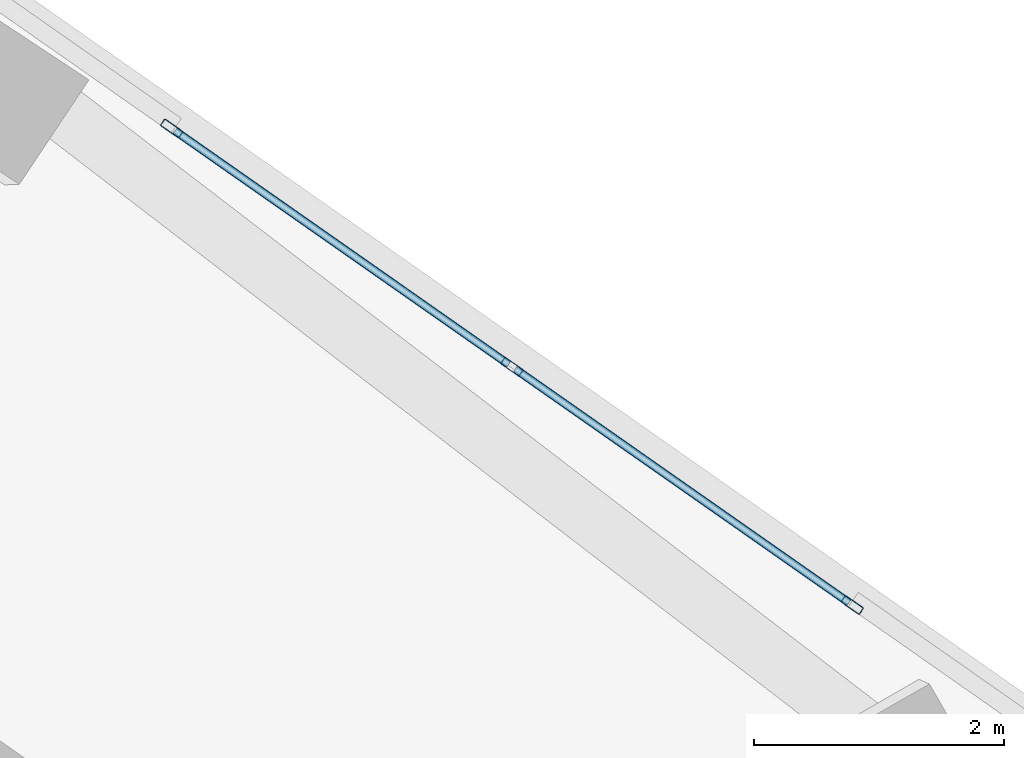
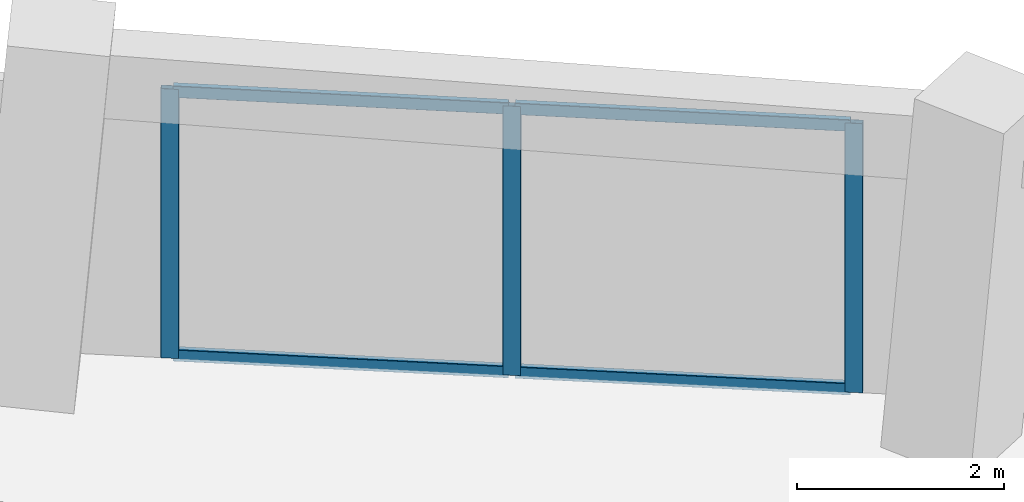
# One storey, part 14 of 21: 7 members, 1 element without a shape of its own.
"""IFC4 building model written with IfcOpenShell, lengths in metres."""

from ifc_helpers import new_model, si_unit, direction, frame, origin, origin_2d, place, context, subcontext, project, spatial, hollow_rectangle, extrude, source, transform, mapped, material, material_profile, profile_set, type_object, element, aggregate, save


model = new_model("IFC4")

# Units and contexts
model_context = context("Model", 3, precision=1e-05, world=origin(), true_north=direction((0.0, 1.0)))
body_context = subcontext(model_context, "Body", "Model", "MODEL_VIEW")
ifc_project = project(units=[si_unit("LENGTHUNIT", "METRE"), si_unit("AREAUNIT", "SQUARE_METRE"), si_unit("VOLUMEUNIT", "CUBIC_METRE"), si_unit("PLANEANGLEUNIT", "RADIAN"), si_unit("MASSUNIT", "GRAM", prefix="KILO")], contexts=[model_context])

# Site, building, storey
site_placement = place(None, origin())
site = spatial("IfcSite", under=ifc_project, at=site_placement, CompositionType="ELEMENT")
building_placement = place(site_placement, origin())
building = spatial("IfcBuilding", under=site, at=building_placement, Name="Torre Montelarca", CompositionType="ELEMENT")
storey_placement = place(building_placement, frame((0.0, 0.0, 200.199951171875)))
storey = spatial("IfcBuildingStorey", under=building, at=storey_placement, Name="L45", CompositionType="ELEMENT", Elevation=200.199951171875)

# Curtain wall, members
ifc_material_1 = material(Name="Insulated low-E laminated glass", Category="glass")
curtain_wall_type = type_object("IfcCurtainWallType", Name="CW-SYS-Z2", PredefinedType="USERDEFINED", material=ifc_material_1)
curtain_wall_placement = place(storey_placement, origin())
curtain_wall = element("IfcCurtainWall", 1, at=curtain_wall_placement, inside=storey, type_object=curtain_wall_type, Name="L45 Curtain Wall Run CW-T3-L45-E08-B2", ObjectType="UNITISED GLAZING", PredefinedType="USERDEFINED")
ifc_material_2 = material(Name="Anodised aluminium AA 6063-T6", Category="aluminium")
ifc_material_profile_1 = material_profile(ifc_material_2, hollow_rectangle(XDim=0.06494140625, YDim=0.179931640625, WallThickness=0.00390625, InnerFilletRadius=0.00390625, OuterFilletRadius=0.008056640625, at=origin_2d()), Name="ALU65X180X4", Category="aluminium")
ifc_profile_set_1 = profile_set([ifc_material_profile_1], Name="Anodised aluminium AA 6063-T6")
member_type_1 = type_object("IfcMemberType", Name="CWM-ALU180", PredefinedType="MULLION", material=ifc_profile_set_1)
shared_shape_1 = source(origin(), body_context, "Body", "SweptSolid", [
    extrude(hollow_rectangle(XDim=0.06494140625, YDim=0.179931640625, WallThickness=0.00390625, InnerFilletRadius=0.00390625, OuterFilletRadius=0.008056640625, at=origin_2d()), origin(), (0.0, 0.0, 1.0), 3.175048828125),
])
member_1_placement = place(storey_placement, frame((27.29248046875, 47.56201171875, 0.0), z_axis=(0.0, 0.0, 1.0), x_axis=(-0.57357855961, -0.819150557563, 0.0)))
member_1 = element("IfcMember", 2, at=member_1_placement, type_object=member_type_1, Name="CW mullion 1", PredefinedType="MULLION", context=body_context, shape_type="MappedRepresentation", body=[
    mapped(shared_shape_1, transform((0.0, 0.0, 0.0), scale=1.0)),
])
member_2_placement = place(storey_placement, frame((24.575439453125, 49.46435546875, 0.0), z_axis=(0.0, 0.0, 1.0), x_axis=(-0.57357855961, -0.819150557563, 0.0)))
member_2 = element("IfcMember", 3, at=member_2_placement, type_object=member_type_1, Name="CW mullion 2", PredefinedType="MULLION", context=body_context, shape_type="MappedRepresentation", body=[
    mapped(shared_shape_1, transform((0.0, 0.0, 0.0), scale=1.0)),
])
member_3_placement = place(storey_placement, frame((21.8583984375, 51.366943359375, 0.0), z_axis=(0.0, 0.0, 1.0), x_axis=(-0.57357855961, -0.819150557563, 0.0)))
member_3 = element("IfcMember", 4, at=member_3_placement, type_object=member_type_1, Name="CW mullion 3", PredefinedType="MULLION", context=body_context, shape_type="MappedRepresentation", body=[
    mapped(shared_shape_1, transform((0.0, 0.0, 0.0), scale=1.0)),
])
ifc_material_profile_2 = material_profile(ifc_material_2, hollow_rectangle(XDim=0.06494140625, YDim=0.139892578125, WallThickness=0.00390625, InnerFilletRadius=0.00390625, OuterFilletRadius=0.008056640625, at=origin_2d()), Name="ALU65X140X4", Category="aluminium")
ifc_profile_set_2 = profile_set([ifc_material_profile_2], Name="Anodised aluminium AA 6063-T6")
member_type_2 = type_object("IfcMemberType", Name="CWT-ALU140", PredefinedType="USERDEFINED", material=ifc_profile_set_2)
shared_shape_2 = source(origin(), body_context, "Body", "SweptSolid", [
    extrude(hollow_rectangle(XDim=0.06494140625, YDim=0.139892578125, WallThickness=0.00390625, InnerFilletRadius=0.00390625, OuterFilletRadius=0.008056640625, at=origin_2d()), origin(), (0.0, 0.0, 1.0), 3.251953125),
])
member_4_placement = place(storey_placement, frame((27.265869140625, 47.58056640625, 0.032470703125), z_axis=(-0.819150790274, 0.573578227266, 0.0), x_axis=(-0.573578227266, -0.819150790274, 0.0)))
member_4 = element("IfcMember", 5, at=member_4_placement, type_object=member_type_2, Name="CW transom 1.1", ObjectType="TRANSOM", PredefinedType="USERDEFINED", context=body_context, shape_type="MappedRepresentation", body=[
    mapped(shared_shape_2, transform((0.0, 0.0, 0.0), scale=1.0)),
])
member_5_placement = place(storey_placement, frame((27.265869140625, 47.58056640625, 3.142578125), z_axis=(-0.819150790274, 0.573578227266, 0.0), x_axis=(-0.573578227266, -0.819150790274, 0.0)))
member_5 = element("IfcMember", 6, at=member_5_placement, type_object=member_type_2, Name="CW transom 1.2", ObjectType="TRANSOM", PredefinedType="USERDEFINED", context=body_context, shape_type="MappedRepresentation", body=[
    mapped(shared_shape_2, transform((0.0, 0.0, 0.0), scale=1.0)),
])
shared_shape_3 = source(origin(), body_context, "Body", "SweptSolid", [
    extrude(hollow_rectangle(XDim=0.06494140625, YDim=0.139892578125, WallThickness=0.00390625, InnerFilletRadius=0.00390625, OuterFilletRadius=0.008056640625, at=origin_2d()), origin(), (0.0, 0.0, 1.0), 3.251708984375),
])
member_6_placement = place(storey_placement, frame((24.548828125, 49.483154296875, 0.032470703125), z_axis=(-0.819186064333, 0.573527847626, 0.0), x_axis=(-0.573527847626, -0.819186064333, 0.0)))
member_6 = element("IfcMember", 7, at=member_6_placement, type_object=member_type_2, Name="CW transom 2.1", ObjectType="TRANSOM", PredefinedType="USERDEFINED", context=body_context, shape_type="MappedRepresentation", body=[
    mapped(shared_shape_3, transform((0.0, 0.0, 0.0), scale=1.0)),
])
member_7_placement = place(storey_placement, frame((24.548828125, 49.483154296875, 3.142578125), z_axis=(-0.819186064333, 0.573527847626, 0.0), x_axis=(-0.573527847626, -0.819186064333, 0.0)))
member_7 = element("IfcMember", 8, at=member_7_placement, type_object=member_type_2, Name="CW transom 2.2", ObjectType="TRANSOM", PredefinedType="USERDEFINED", context=body_context, shape_type="MappedRepresentation", body=[
    mapped(shared_shape_3, transform((0.0, 0.0, 0.0), scale=1.0)),
])
aggregate(curtain_wall, [member_1, member_2, member_3, member_4, member_5, member_6, member_7])

save(model, "model.ifc")
